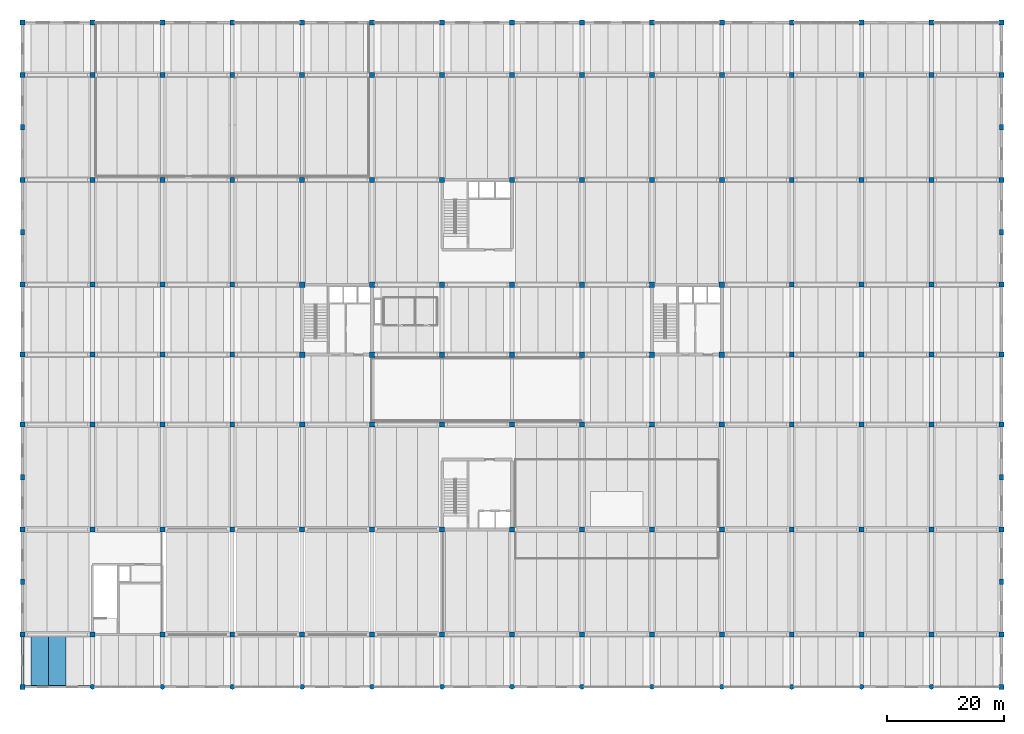
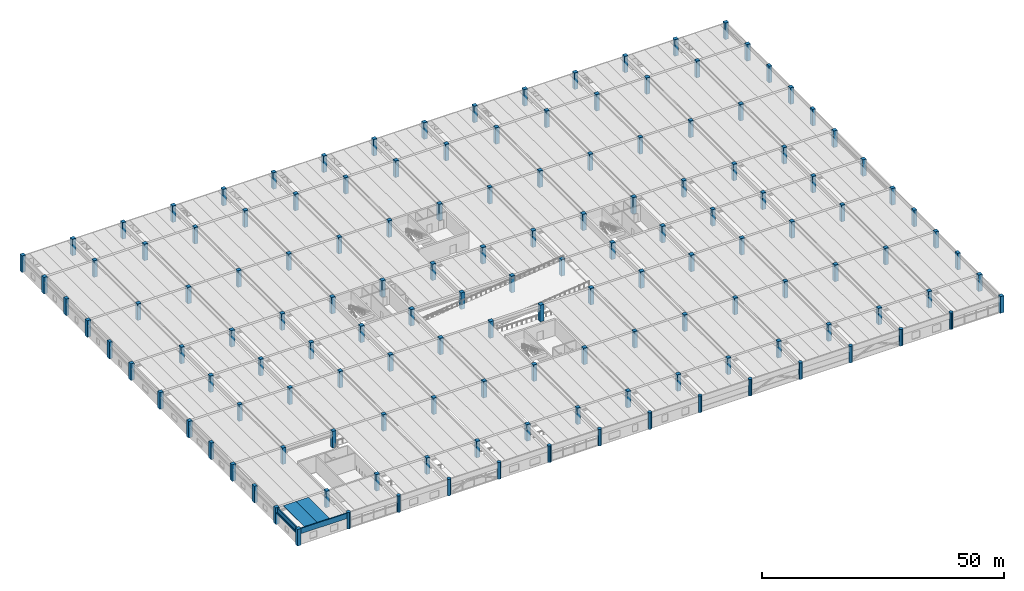
# One storey, part 1 of 50: 143 columns, 4 beams.
"""IFC4 building model written with IfcOpenShell, lengths in metres."""

from ifc_helpers import new_model, si_unit, direction, frame, origin, origin_2d, place, context, subcontext, project, spatial, polyline, rectangle, circle, outline, extrude, material, material_profile, profile_set, type_object, element, save


model = new_model("IFC4")

# Units and contexts
model_context = context("Model", 3, precision=1e-05, world=origin(), true_north=direction((0.0, 1.0)))
body_context = subcontext(model_context, "Body", "Model", "MODEL_VIEW")
ifc_project = project(units=[si_unit("LENGTHUNIT", "METRE"), si_unit("AREAUNIT", "SQUARE_METRE"), si_unit("VOLUMEUNIT", "CUBIC_METRE"), si_unit("PLANEANGLEUNIT", "RADIAN"), si_unit("MASSUNIT", "GRAM", prefix="KILO")], contexts=[model_context])

# Site, building, storey
site_placement = place(None, origin())
site = spatial("IfcSite", under=ifc_project, at=site_placement, CompositionType="ELEMENT")
building_placement = place(site_placement, origin())
building = spatial("IfcBuilding", under=site, at=building_placement, Name="Girod Span Mobility Hub", CompositionType="ELEMENT")
storey_placement = place(building_placement, frame((0.0, 0.0, 5.39990234375)))
storey = spatial("IfcBuildingStorey", under=building, at=storey_placement, Name="L01", CompositionType="ELEMENT", Elevation=5.39990234375)

# Columns
ifc_material_1 = material(Name="Concrete C40/50", Category="concrete")
ifc_material_profile_1 = material_profile(ifc_material_1, rectangle(XDim=0.85009765625, YDim=0.85009765625, at=origin_2d()), Name="PC-COL-850X850")
ifc_profile_set_1 = profile_set([ifc_material_profile_1], Name="Concrete C40/50")
column_type_1 = type_object("IfcColumnType", Name="COL-PC-850X850", PredefinedType="COLUMN", material=ifc_profile_set_1)
for number, where, z_axis, x_axis, name in (
    (1, (0.0, 0.0, 0.0), (0.0, 0.0, 1.0), (1.0, 0.0, 0.0), "Column 1A L01"),
    (2, (0.0, 9.0, 0.0), (0.0, 0.0, 1.0), (1.0, 0.0, 0.0), "Column 1B L01"),
    (3, (0.0, 27.0, 0.0), (0.0, 0.0, 1.0), (1.0, 0.0, 0.0), "Column 1C L01"),
    (4, (0.0, 45.0, 0.0), (0.0, 0.0, 1.0), (1.0, 0.0, 0.0), "Column 1D L01"),
    (5, (0.0, 57.0, 0.0), (0.0, 0.0, 1.0), (1.0, 0.0, 0.0), "Column 1E L01"),
    (6, (0.0, 69.0, 0.0), (0.0, 0.0, 1.0), (1.0, 0.0, 0.0), "Column 1F L01"),
    (7, (0.0, 87.0, 0.0), (0.0, 0.0, 1.0), (1.0, 0.0, 0.0), "Column 1G L01"),
    (8, (0.0, 105.0, 0.0), (0.0, 0.0, 1.0), (1.0, 0.0, 0.0), "Column 1H L01"),
    (9, (0.0, 114.0, 0.0), (0.0, 0.0, 1.0), (1.0, 0.0, 0.0), "Column 1J L01"),
    (10, (12.0, 9.0, 0.0), (0.0, 0.0, 1.0), (1.0, 0.0, 0.0), "Column 2B L01"),
    (11, (12.0, 27.0, 0.0), (0.0, 0.0, 1.0), (1.0, 0.0, 0.0), "Column 2C L01"),
    (12, (12.0, 45.0, 0.0), (0.0, 0.0, 1.0), (1.0, 0.0, 0.0), "Column 2D L01"),
    (13, (12.0, 57.0, 0.0), (0.0, 0.0, 1.0), (1.0, 0.0, 0.0), "Column 2E L01"),
    (14, (12.0, 69.0, 0.0), (0.0, 0.0, 1.0), (1.0, 0.0, 0.0), "Column 2F L01"),
    (15, (12.0, 87.0, 0.0), (0.0, 0.0, 1.0), (1.0, 0.0, 0.0), "Column 2G L01"),
    (16, (12.0, 105.0, 0.0), (0.0, 0.0, 1.0), (1.0, 0.0, 0.0), "Column 2H L01"),
    (17, (12.0, 114.0, 0.0), (0.0, 0.0, 1.0), (1.0, 0.0, 0.0), "Column 2J L01"),
    (18, (24.0, 9.0, 0.0), (0.0, 0.0, 1.0), (1.0, 0.0, 0.0), "Column 3B L01"),
    (19, (24.0, 27.0, 0.0), (0.0, 0.0, 1.0), (1.0, 0.0, 0.0), "Column 3C L01"),
    (20, (24.0, 45.0, 0.0), (0.0, 0.0, 1.0), (1.0, 0.0, 0.0), "Column 3D L01"),
    (21, (24.0, 57.0, 0.0), (0.0, 0.0, 1.0), (1.0, 0.0, 0.0), "Column 3E L01"),
    (22, (24.0, 69.0, 0.0), (0.0, 0.0, 1.0), (1.0, 0.0, 0.0), "Column 3F L01"),
    (23, (24.0, 87.0, 0.0), (0.0, 0.0, 1.0), (1.0, 0.0, 0.0), "Column 3G L01"),
    (24, (24.0, 105.0, 0.0), (0.0, 0.0, 1.0), (1.0, 0.0, 0.0), "Column 3H L01"),
    (25, (24.0, 114.0, 0.0), (0.0, 0.0, 1.0), (1.0, 0.0, 0.0), "Column 3J L01"),
    (26, (36.0, 9.0, 0.0), (0.0, 0.0, 1.0), (1.0, 0.0, 0.0), "Column 4B L01"),
    (27, (36.0, 27.0, 0.0), (0.0, 0.0, 1.0), (1.0, 0.0, 0.0), "Column 4C L01"),
    (28, (36.0, 45.0, 0.0), (0.0, 0.0, 1.0), (1.0, 0.0, 0.0), "Column 4D L01"),
    (29, (36.0, 57.0, 0.0), (0.0, 0.0, 1.0), (1.0, 0.0, 0.0), "Column 4E L01"),
    (30, (36.0, 69.0, 0.0), (0.0, 0.0, 1.0), (1.0, 0.0, 0.0), "Column 4F L01"),
    (31, (36.0, 87.0, 0.0), (0.0, 0.0, 1.0), (1.0, 0.0, 0.0), "Column 4G L01"),
    (32, (36.0, 105.0, 0.0), (0.0, 0.0, 1.0), (1.0, 0.0, 0.0), "Column 4H L01"),
    (33, (36.0, 114.0, 0.0), (0.0, 0.0, 1.0), (1.0, 0.0, 0.0), "Column 4J L01"),
    (34, (48.0, 9.0, 0.0), (0.0, 0.0, 1.0), (1.0, 0.0, 0.0), "Column 5B L01"),
    (35, (48.0, 27.0, 0.0), (0.0, 0.0, 1.0), (1.0, 0.0, 0.0), "Column 5C L01"),
    (36, (48.0, 87.0, 0.0), (0.0, 0.0, 1.0), (1.0, 0.0, 0.0), "Column 5G L01"),
    (37, (48.0, 105.0, 0.0), (0.0, 0.0, 1.0), (1.0, 0.0, 0.0), "Column 5H L01"),
    (38, (48.0, 114.0, 0.0), (0.0, 0.0, 1.0), (1.0, 0.0, 0.0), "Column 5J L01"),
    (39, (60.0, 9.0, 0.0), (0.0, 0.0, 1.0), (1.0, 0.0, 0.0), "Column 6B L01"),
    (40, (60.0, 27.0, 0.0), (0.0, 0.0, 1.0), (1.0, 0.0, 0.0), "Column 6C L01"),
    (41, (60.0, 87.0, 0.0), (0.0, 0.0, 1.0), (1.0, 0.0, 0.0), "Column 6G L01"),
    (42, (60.0, 105.0, 0.0), (0.0, 0.0, 1.0), (1.0, 0.0, 0.0), "Column 6H L01"),
    (43, (60.0, 114.0, 0.0), (0.0, 0.0, 1.0), (1.0, 0.0, 0.0), "Column 6J L01"),
    (44, (72.0, 9.0, 0.0), (0.0, 0.0, 1.0), (1.0, 0.0, 0.0), "Column 7B L01"),
    (45, (72.0, 27.0, 0.0), (0.0, 0.0, 1.0), (1.0, 0.0, 0.0), "Column 7C L01"),
    (46, (72.0, 87.0, 0.0), (0.0, 0.0, 1.0), (1.0, 0.0, 0.0), "Column 7G L01"),
    (47, (72.0, 105.0, 0.0), (0.0, 0.0, 1.0), (1.0, 0.0, 0.0), "Column 7H L01"),
    (48, (72.0, 114.0, 0.0), (0.0, 0.0, 1.0), (1.0, 0.0, 0.0), "Column 7J L01"),
    (49, (84.0, 9.0, 0.0), (0.0, 0.0, 1.0), (1.0, 0.0, 0.0), "Column 8B L01"),
    (50, (84.0, 27.0, 0.0), (0.0, 0.0, 1.0), (1.0, 0.0, 0.0), "Column 8C L01"),
    (51, (84.0, 87.0, 0.0), (0.0, 0.0, 1.0), (1.0, 0.0, 0.0), "Column 8G L01"),
    (52, (84.0, 105.0, 0.0), (0.0, 0.0, 1.0), (1.0, 0.0, 0.0), "Column 8H L01"),
    (53, (84.0, 114.0, 0.0), (0.0, 0.0, 1.0), (1.0, 0.0, 0.0), "Column 8J L01"),
    (54, (96.0, 9.0, 0.0), (0.0, 0.0, 1.0), (1.0, 0.0, 0.0), "Column 9B L01"),
    (55, (96.0, 27.0, 0.0), (0.0, 0.0, 1.0), (1.0, 0.0, 0.0), "Column 9C L01"),
    (56, (96.0, 87.0, 0.0), (0.0, 0.0, 1.0), (1.0, 0.0, 0.0), "Column 9G L01"),
    (57, (96.0, 105.0, 0.0), (0.0, 0.0, 1.0), (1.0, 0.0, 0.0), "Column 9H L01"),
    (58, (96.0, 114.0, 0.0), (0.0, 0.0, 1.0), (1.0, 0.0, 0.0), "Column 9J L01"),
    (59, (108.0, 9.0, 0.0), (0.0, 0.0, 1.0), (1.0, 0.0, 0.0), "Column 10B L01"),
    (60, (108.0, 27.0, 0.0), (0.0, 0.0, 1.0), (1.0, 0.0, 0.0), "Column 10C L01"),
    (61, (108.0, 87.0, 0.0), (0.0, 0.0, 1.0), (1.0, 0.0, 0.0), "Column 10G L01"),
    (62, (108.0, 105.0, 0.0), (0.0, 0.0, 1.0), (1.0, 0.0, 0.0), "Column 10H L01"),
    (63, (108.0, 114.0, 0.0), (0.0, 0.0, 1.0), (1.0, 0.0, 0.0), "Column 10J L01"),
    (64, (120.0, 9.0, 0.0), (0.0, 0.0, 1.0), (1.0, 0.0, 0.0), "Column 11B L01"),
    (65, (120.0, 27.0, 0.0), (0.0, 0.0, 1.0), (1.0, 0.0, 0.0), "Column 11C L01"),
    (66, (120.0, 87.0, 0.0), (0.0, 0.0, 1.0), (1.0, 0.0, 0.0), "Column 11G L01"),
    (67, (120.0, 105.0, 0.0), (0.0, 0.0, 1.0), (1.0, 0.0, 0.0), "Column 11H L01"),
    (68, (120.0, 114.0, 0.0), (0.0, 0.0, 1.0), (1.0, 0.0, 0.0), "Column 11J L01"),
    (69, (132.0, 9.0, 0.0), (0.0, 0.0, 1.0), (1.0, 0.0, 0.0), "Column 12B L01"),
    (70, (132.0, 27.0, 0.0), (0.0, 0.0, 1.0), (1.0, 0.0, 0.0), "Column 12C L01"),
    (71, (132.0, 45.0, 0.0), (0.0, 0.0, 1.0), (1.0, 0.0, 0.0), "Column 12D L01"),
    (72, (132.0, 57.0, 0.0), (0.0, 0.0, 1.0), (1.0, 0.0, 0.0), "Column 12E L01"),
    (73, (132.0, 69.0, 0.0), (0.0, 0.0, 1.0), (1.0, 0.0, 0.0), "Column 12F L01"),
    (74, (132.0, 87.0, 0.0), (0.0, 0.0, 1.0), (1.0, 0.0, 0.0), "Column 12G L01"),
    (75, (132.0, 105.0, 0.0), (0.0, 0.0, 1.0), (1.0, 0.0, 0.0), "Column 12H L01"),
    (76, (132.0, 114.0, 0.0), (0.0, 0.0, 1.0), (1.0, 0.0, 0.0), "Column 12J L01"),
    (77, (144.0, 9.0, 0.0), (0.0, 0.0, 1.0), (1.0, 0.0, 0.0), "Column 13B L01"),
    (78, (144.0, 27.0, 0.0), (0.0, 0.0, 1.0), (1.0, 0.0, 0.0), "Column 13C L01"),
    (79, (144.0, 45.0, 0.0), (0.0, 0.0, 1.0), (1.0, 0.0, 0.0), "Column 13D L01"),
    (80, (144.0, 57.0, 0.0), (0.0, 0.0, 1.0), (1.0, 0.0, 0.0), "Column 13E L01"),
    (81, (144.0, 69.0, 0.0), (0.0, 0.0, 1.0), (1.0, 0.0, 0.0), "Column 13F L01"),
    (82, (144.0, 87.0, 0.0), (0.0, 0.0, 1.0), (1.0, 0.0, 0.0), "Column 13G L01"),
    (83, (144.0, 105.0, 0.0), (0.0, 0.0, 1.0), (1.0, 0.0, 0.0), "Column 13H L01"),
    (84, (144.0, 114.0, 0.0), (0.0, 0.0, 1.0), (1.0, 0.0, 0.0), "Column 13J L01"),
    (85, (156.0, 9.0, 0.0), (0.0, 0.0, 1.0), (1.0, 0.0, 0.0), "Column 14B L01"),
    (86, (156.0, 27.0, 0.0), (0.0, 0.0, 1.0), (1.0, 0.0, 0.0), "Column 14C L01"),
    (87, (156.0, 45.0, 0.0), (0.0, 0.0, 1.0), (1.0, 0.0, 0.0), "Column 14D L01"),
    (88, (156.0, 57.0, 0.0), (0.0, 0.0, 1.0), (1.0, 0.0, 0.0), "Column 14E L01"),
    (89, (156.0, 69.0, 0.0), (0.0, 0.0, 1.0), (1.0, 0.0, 0.0), "Column 14F L01"),
    (90, (156.0, 87.0, 0.0), (0.0, 0.0, 1.0), (1.0, 0.0, 0.0), "Column 14G L01"),
    (91, (156.0, 105.0, 0.0), (0.0, 0.0, 1.0), (1.0, 0.0, 0.0), "Column 14H L01"),
    (92, (156.0, 114.0, 0.0), (0.0, 0.0, 1.0), (1.0, 0.0, 0.0), "Column 14J L01"),
    (93, (168.0, 0.0, 0.0), (0.0, 0.0, 1.0), (1.0, 0.0, 0.0), "Column 15A L01"),
    (94, (168.0, 9.0, 0.0), (0.0, 0.0, 1.0), (1.0, 0.0, 0.0), "Column 15B L01"),
    (95, (168.0, 27.0, 0.0), (0.0, 0.0, 1.0), (1.0, 0.0, 0.0), "Column 15C L01"),
    (96, (168.0, 45.0, 0.0), (0.0, 0.0, 1.0), (1.0, 0.0, 0.0), "Column 15D L01"),
    (97, (168.0, 57.0, 0.0), (0.0, 0.0, 1.0), (1.0, 0.0, 0.0), "Column 15E L01"),
    (98, (168.0, 69.0, 0.0), (0.0, 0.0, 1.0), (1.0, 0.0, 0.0), "Column 15F L01"),
    (99, (168.0, 87.0, 0.0), (0.0, 0.0, 1.0), (1.0, 0.0, 0.0), "Column 15G L01"),
    (100, (168.0, 105.0, 0.0), (0.0, 0.0, 1.0), (1.0, 0.0, 0.0), "Column 15H L01"),
    (101, (168.0, 114.0, 0.0), (0.0, 0.0, 1.0), (1.0, 0.0, 0.0), "Column 15J L01"),
):
    element("IfcColumn", number, at=place(storey_placement, frame(where, z_axis=z_axis, x_axis=x_axis)), inside=storey, type_object=column_type_1, Name=name, PredefinedType="COLUMN", context=body_context, shape_type="SweptSolid", body=[
        extrude(rectangle(XDim=0.85009765625, YDim=0.85009765625, at=origin_2d()), origin(), (0.0, 0.0, 1.0), 4.2001953125),
    ])
ifc_material_2 = material(Name="Concrete C40/50", Category="concrete")
ifc_material_profile_2 = material_profile(ifc_material_2, rectangle(XDim=0.89990234375, YDim=0.89990234375, at=origin_2d()), Name="PC-COL-900X900")
ifc_profile_set_2 = profile_set([ifc_material_profile_2], Name="Concrete C40/50")
column_type_2 = type_object("IfcColumnType", Name="COL-PC-900X900", PredefinedType="COLUMN", material=ifc_profile_set_2)
for number, where, z_axis, x_axis, name in (
    (102, (48.0, 45.0, 0.0), (0.0, 0.0, 1.0), (1.0, 0.0, 0.0), "Column 5D L01"),
    (103, (48.0, 57.0, 0.0), (0.0, 0.0, 1.0), (1.0, 0.0, 0.0), "Column 5E L01"),
    (104, (48.0, 69.0, 0.0), (0.0, 0.0, 1.0), (1.0, 0.0, 0.0), "Column 5F L01"),
    (105, (60.0, 45.0, 0.0), (0.0, 0.0, 1.0), (1.0, 0.0, 0.0), "Column 6D L01"),
    (106, (60.0, 57.0, 0.0), (0.0, 0.0, 1.0), (1.0, 0.0, 0.0), "Column 6E L01"),
    (107, (60.0, 69.0, 0.0), (0.0, 0.0, 1.0), (1.0, 0.0, 0.0), "Column 6F L01"),
    (108, (72.0, 45.0, 0.0), (0.0, 0.0, 1.0), (1.0, 0.0, 0.0), "Column 7D L01"),
    (109, (72.0, 57.0, 0.0), (0.0, 0.0, 1.0), (1.0, 0.0, 0.0), "Column 7E L01"),
    (110, (72.0, 69.0, 0.0), (0.0, 0.0, 1.0), (1.0, 0.0, 0.0), "Column 7F L01"),
    (111, (84.0, 45.0, 0.0), (0.0, 0.0, 1.0), (1.0, 0.0, 0.0), "Column 8D L01"),
    (112, (84.0, 57.0, 0.0), (0.0, 0.0, 1.0), (1.0, 0.0, 0.0), "Column 8E L01"),
    (113, (84.0, 69.0, 0.0), (0.0, 0.0, 1.0), (1.0, 0.0, 0.0), "Column 8F L01"),
    (114, (96.0, 45.0, 0.0), (0.0, 0.0, 1.0), (1.0, 0.0, 0.0), "Column 9D L01"),
    (115, (96.0, 57.0, 0.0), (0.0, 0.0, 1.0), (1.0, 0.0, 0.0), "Column 9E L01"),
    (116, (96.0, 69.0, 0.0), (0.0, 0.0, 1.0), (1.0, 0.0, 0.0), "Column 9F L01"),
    (117, (108.0, 45.0, 0.0), (0.0, 0.0, 1.0), (1.0, 0.0, 0.0), "Column 10D L01"),
    (118, (108.0, 57.0, 0.0), (0.0, 0.0, 1.0), (1.0, 0.0, 0.0), "Column 10E L01"),
    (119, (108.0, 69.0, 0.0), (0.0, 0.0, 1.0), (1.0, 0.0, 0.0), "Column 10F L01"),
    (120, (120.0, 45.0, 0.0), (0.0, 0.0, 1.0), (1.0, 0.0, 0.0), "Column 11D L01"),
    (121, (120.0, 57.0, 0.0), (0.0, 0.0, 1.0), (1.0, 0.0, 0.0), "Column 11E L01"),
    (122, (120.0, 69.0, 0.0), (0.0, 0.0, 1.0), (1.0, 0.0, 0.0), "Column 11F L01"),
):
    element("IfcColumn", number, at=place(storey_placement, frame(where, z_axis=z_axis, x_axis=x_axis)), inside=storey, type_object=column_type_2, Name=name, PredefinedType="COLUMN", context=body_context, shape_type="SweptSolid", body=[
        extrude(rectangle(XDim=0.89990234375, YDim=0.89990234375, at=origin_2d()), origin(), (0.0, 0.0, 1.0), 4.2001953125),
    ])
ifc_material_3 = material(Name="Concrete C40/50", Category="concrete")
ifc_material_profile_3 = material_profile(ifc_material_3, circle(Radius=0.425048828125, at=origin_2d()), Name="PC-CIR-D850")
ifc_profile_set_3 = profile_set([ifc_material_profile_3], Name="Concrete C40/50")
column_type_3 = type_object("IfcColumnType", Name="COL-PC-D850", PredefinedType="COLUMN", material=ifc_profile_set_3)
for number, where, z_axis, x_axis, name in (
    (123, (12.0, 0.0, 0.0), (0.0, 0.0, 1.0), (1.0, 0.0, 0.0), "Column 2A L01"),
    (124, (24.0, 0.0, 0.0), (0.0, 0.0, 1.0), (1.0, 0.0, 0.0), "Column 3A L01"),
    (125, (36.0, 0.0, 0.0), (0.0, 0.0, 1.0), (1.0, 0.0, 0.0), "Column 4A L01"),
    (126, (48.0, 0.0, 0.0), (0.0, 0.0, 1.0), (1.0, 0.0, 0.0), "Column 5A L01"),
    (127, (60.0, 0.0, 0.0), (0.0, 0.0, 1.0), (1.0, 0.0, 0.0), "Column 6A L01"),
    (128, (72.0, 0.0, 0.0), (0.0, 0.0, 1.0), (1.0, 0.0, 0.0), "Column 7A L01"),
    (129, (84.0, 0.0, 0.0), (0.0, 0.0, 1.0), (1.0, 0.0, 0.0), "Column 8A L01"),
    (130, (96.0, 0.0, 0.0), (0.0, 0.0, 1.0), (1.0, 0.0, 0.0), "Column 9A L01"),
    (131, (108.0, 0.0, 0.0), (0.0, 0.0, 1.0), (1.0, 0.0, 0.0), "Column 10A L01"),
    (132, (120.0, 0.0, 0.0), (0.0, 0.0, 1.0), (1.0, 0.0, 0.0), "Column 11A L01"),
    (133, (132.0, 0.0, 0.0), (0.0, 0.0, 1.0), (1.0, 0.0, 0.0), "Column 12A L01"),
    (134, (144.0, 0.0, 0.0), (0.0, 0.0, 1.0), (1.0, 0.0, 0.0), "Column 13A L01"),
    (135, (156.0, 0.0, 0.0), (0.0, 0.0, 1.0), (1.0, 0.0, 0.0), "Column 14A L01"),
):
    element("IfcColumn", number, at=place(storey_placement, frame(where, z_axis=z_axis, x_axis=x_axis)), inside=storey, type_object=column_type_3, Name=name, PredefinedType="COLUMN", context=body_context, shape_type="SweptSolid", body=[
        extrude(circle(Radius=0.425048828125, at=origin_2d()), origin(), (0.0, 0.0, 1.0), 4.2001953125),
    ])
ifc_material_4 = material(Name="Concrete C40/50", Category="concrete")
ifc_material_profile_4 = material_profile(ifc_material_4, rectangle(XDim=0.699951171875, YDim=0.949951171875, at=origin_2d()), Name="PC-PIL-700X950")
ifc_profile_set_4 = profile_set([ifc_material_profile_4], Name="Concrete C40/50")
column_type_4 = type_object("IfcColumnType", Name="PIL-PC-700X950", PredefinedType="PILASTER", material=ifc_profile_set_4)
for number, where, z_axis, x_axis, name in (
    (136, (0.0, 18.0, 0.0), (0.0, 0.0, 1.0), (1.0, 0.0, 0.0), "Precast Pilaster PIL-W-18 L01"),
    (137, (0.0, 36.0, 0.0), (0.0, 0.0, 1.0), (1.0, 0.0, 0.0), "Precast Pilaster PIL-W-36 L01"),
    (138, (0.0, 78.0, 0.0), (0.0, 0.0, 1.0), (1.0, 0.0, 0.0), "Precast Pilaster PIL-W-78 L01"),
    (139, (0.0, 96.0, 0.0), (0.0, 0.0, 1.0), (1.0, 0.0, 0.0), "Precast Pilaster PIL-W-96 L01"),
    (140, (168.0, 18.0, 0.0), (0.0, 0.0, 1.0), (1.0, 0.0, 0.0), "Precast Pilaster PIL-E-18 L01"),
    (141, (168.0, 36.0, 0.0), (0.0, 0.0, 1.0), (1.0, 0.0, 0.0), "Precast Pilaster PIL-E-36 L01"),
    (142, (168.0, 78.0, 0.0), (0.0, 0.0, 1.0), (1.0, 0.0, 0.0), "Precast Pilaster PIL-E-78 L01"),
    (143, (168.0, 96.0, 0.0), (0.0, 0.0, 1.0), (1.0, 0.0, 0.0), "Precast Pilaster PIL-E-96 L01"),
):
    element("IfcColumn", number, at=place(storey_placement, frame(where, z_axis=z_axis, x_axis=x_axis)), inside=storey, type_object=column_type_4, Name=name, PredefinedType="PILASTER", context=body_context, shape_type="SweptSolid", body=[
        extrude(rectangle(XDim=0.699951171875, YDim=0.949951171875, at=origin_2d()), origin(), (0.0, 0.0, 1.0), 4.2001953125),
    ])

# Beams
ifc_material_5 = material(Name="Concrete C50/60", Category="concrete")
ifc_material_profile_5 = material_profile(ifc_material_5, outline(polyline([(-1.5, 0.35009765625), (-1.5, 0.2548828125), (-0.840087890625, 0.2548828125), (-0.81494140625, -0.35009765625), (-0.68505859375, -0.35009765625), (-0.659912109375, 0.2548828125), (0.659912109375, 0.2548828125), (0.68505859375, -0.35009765625), (0.81494140625, -0.35009765625), (0.840087890625, 0.2548828125), (1.5, 0.2548828125), (1.5, 0.35009765625), (-1.5, 0.35009765625)])), Name="DT-3000X700")
ifc_profile_set_5 = profile_set([ifc_material_profile_5], Name="Concrete C50/60")
beam_type_1 = type_object("IfcBeamType", Name="BM-DT-3000X700", PredefinedType="JOIST", material=ifc_profile_set_5)
for number, where, z_axis, x_axis, name in (
    (144, (3.0, 0.02197265625, 3.690185546875), (0.0, 1.0, 0.0), (-1.0, 0.0, 0.0), "Double-Tee Deck 1/A-1 L01"),
    (145, (6.0, 0.02197265625, 3.690185546875), (0.0, 1.0, 0.0), (-1.0, 0.0, 0.0), "Double-Tee Deck 1/A-2 L01"),
):
    element("IfcBeam", number, at=place(storey_placement, frame(where, z_axis=z_axis, x_axis=x_axis)), inside=storey, type_object=beam_type_1, Name=name, PredefinedType="JOIST", context=body_context, shape_type="SweptSolid", body=[
        extrude(outline(polyline([(-1.5, 0.35009765625), (-1.5, 0.2548828125), (-0.840087890625, 0.2548828125), (-0.81494140625, -0.35009765625), (-0.68505859375, -0.35009765625), (-0.659912109375, 0.2548828125), (0.659912109375, 0.2548828125), (0.68505859375, -0.35009765625), (0.81494140625, -0.35009765625), (0.840087890625, 0.2548828125), (1.5, 0.2548828125), (1.5, 0.35009765625), (-1.5, 0.35009765625)])), origin(), (0.0, 0.0, 1.0), 8.7060546875),
    ])
ifc_material_6 = material(Name="Concrete C40/50", Category="concrete")
ifc_material_profile_6 = material_profile(ifc_material_6, outline(polyline([(-0.22509765625, -0.675048828125), (0.22509765625, -0.675048828125), (0.22509765625, -0.324951171875), (0.02490234375, -0.324951171875), (0.02490234375, 0.675048828125), (-0.22509765625, 0.675048828125), (-0.22509765625, -0.675048828125)])), Name="SP-450X1350")
ifc_profile_set_6 = profile_set([ifc_material_profile_6], Name="Concrete C40/50")
beam_type_2 = type_object("IfcBeamType", Name="BM-SP-450X1350", PredefinedType="SPANDREL", material=ifc_profile_set_6)
beam_1_placement = place(storey_placement, frame((0.422119140625, 0.0, 3.364990234375), z_axis=(1.0, 0.0, 0.0), x_axis=(0.0, 1.0, 0.0)))
element("IfcBeam", 146, at=beam_1_placement, inside=storey, type_object=beam_type_2, Name="Girder 1-2/A L01", PredefinedType="SPANDREL", context=body_context, shape_type="SweptSolid", body=[
    extrude(outline(polyline([(-0.22509765625, -0.675048828125), (0.22509765625, -0.675048828125), (0.22509765625, -0.324951171875), (0.02490234375, -0.324951171875), (0.02490234375, 0.675048828125), (-0.22509765625, 0.675048828125), (-0.22509765625, -0.675048828125)])), origin(), (0.0, 0.0, 1.0), 11.15576171875),
])
beam_2_placement = place(storey_placement, frame((0.0, 0.422119140625, 3.364990234375), z_axis=(0.0, 1.0, 0.0), x_axis=(-1.0, 0.0, 0.0)))
element("IfcBeam", 147, at=beam_2_placement, inside=storey, type_object=beam_type_2, Name="Tie Girder 1/A-B L01", PredefinedType="SPANDREL", context=body_context, shape_type="SweptSolid", body=[
    extrude(outline(polyline([(-0.22509765625, -0.675048828125), (0.22509765625, -0.675048828125), (0.22509765625, -0.324951171875), (0.02490234375, -0.324951171875), (0.02490234375, 0.675048828125), (-0.22509765625, 0.675048828125), (-0.22509765625, -0.675048828125)])), origin(), (0.0, 0.0, 1.0), 8.15576171875),
])

save(model, "model.ifc")
